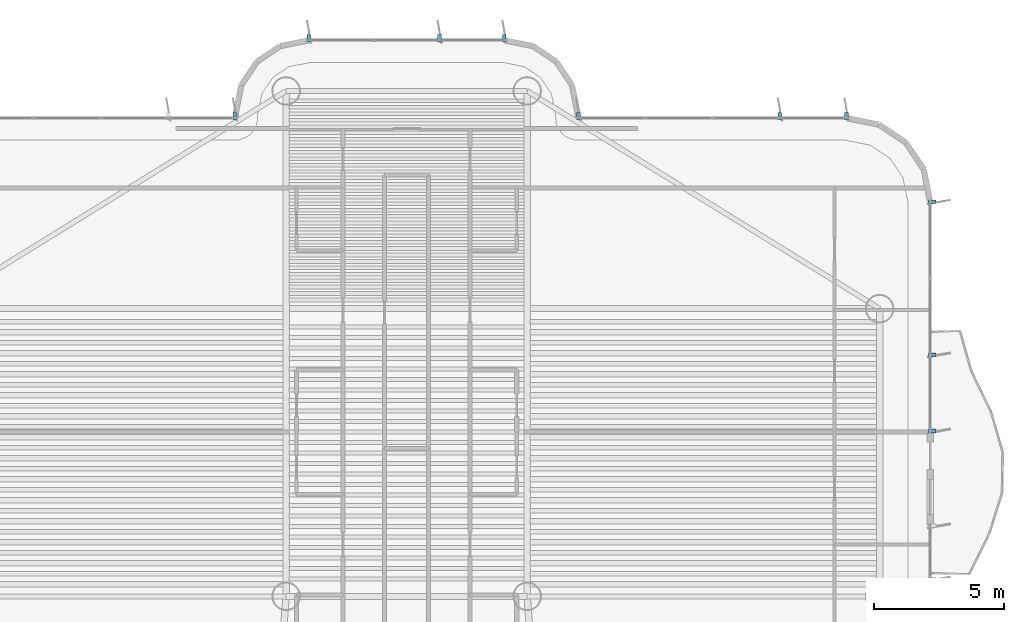
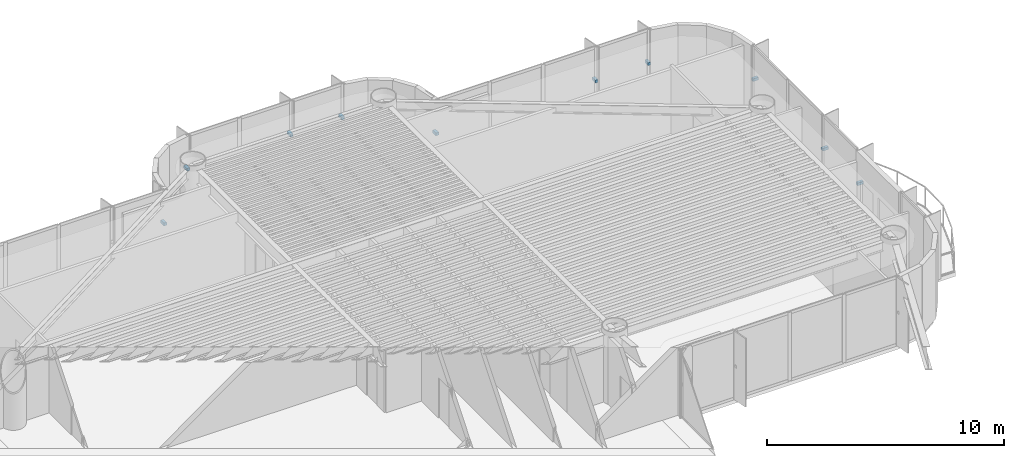
# One storey, part 13 of 15: 10 discrete accessories.
"""IFC4 building model written with IfcOpenShell, lengths in metres."""

from ifc_helpers import new_model, si_unit, direction, frame, origin, origin_2d, place, context, subcontext, project, spatial, rectangle, extrude, source, transform, mapped, material, type_object, element, save


model = new_model("IFC4")

# Units and contexts
model_context = context("Model", 3, precision=1e-05, world=origin(), true_north=direction((0.0, 1.0)))
body_context = subcontext(model_context, "Body", "Model", "MODEL_VIEW")
ifc_project = project(units=[si_unit("LENGTHUNIT", "METRE"), si_unit("AREAUNIT", "SQUARE_METRE"), si_unit("VOLUMEUNIT", "CUBIC_METRE"), si_unit("PLANEANGLEUNIT", "RADIAN"), si_unit("MASSUNIT", "GRAM", prefix="KILO")], contexts=[model_context])

# Site, building, storey
site_placement = place(None, origin())
site = spatial("IfcSite", under=ifc_project, at=site_placement, CompositionType="ELEMENT")
building_placement = place(site_placement, origin())
building = spatial("IfcBuilding", under=site, at=building_placement, Name="Brelvock Crest Care Tower", CompositionType="ELEMENT")
storey_placement = place(building_placement, frame((0.0, 0.0, 160.199951171875)))
storey = spatial("IfcBuildingStorey", under=building, at=storey_placement, Name="L40", CompositionType="ELEMENT", Elevation=160.199951171875)

# Discrete accessories
ifc_material = material(Name="Steel Grade 350", Category="steel")
discrete_accessory_type = type_object("IfcDiscreteAccessoryType", Name="ACC-BRK1", PredefinedType="BRACKET", material=ifc_material)
shared_shape = source(origin(), body_context, "Body", "SweptSolid", [
    extrude(rectangle(XDim=0.280029296875, YDim=0.139892578125, at=origin_2d()), origin(), (0.0, 0.0, 1.0), 0.139892578125),
])
for number, where, z_axis, x_axis, name in (
    (1, (29.3701171875, 53.47998046875, 1.6953125), (0.0, 0.0, 1.0), (0.0, 1.0, 0.0), "L40 Facade Fin Bracket E22-05"),
    (2, (32.22998046875, 56.47998046875, 1.6953125), (0.0, 0.0, 1.0), (0.0, 1.0, 0.0), "L40 Facade Fin Bracket E28-01"),
    (3, (37.2666015625, 56.47998046875, 1.6953125), (0.0, 0.0, 1.0), (0.0, 1.0, 0.0), "L40 Facade Fin Bracket E28-03"),
    (4, (39.77001953125, 56.47998046875, 1.6953125), (0.0, 0.0, 1.0), (0.0, 1.0, 0.0), "L40 Facade Fin Bracket E28-04"),
    (5, (42.6298828125, 53.47998046875, 1.6953125), (0.0, 0.0, 1.0), (0.0, 1.0, 0.0), "L40 Facade Fin Bracket E34-01"),
    (6, (50.39990234375, 53.47998046875, 1.6953125), (0.0, 0.0, 1.0), (0.0, 1.0, 0.0), "L40 Facade Fin Bracket E34-04"),
    (7, (52.969970703125, 53.47998046875, 1.6953125), (0.0, 0.0, 1.0), (0.0, 1.0, 0.0), "L40 Facade Fin Bracket E34-05"),
    (8, (56.280029296875, 50.169921875, 1.6953125), (0.0, 0.0, 1.0), (1.0, 0.0, 0.0), "L40 Facade Fin Bracket E39A-01"),
    (9, (56.280029296875, 44.2666015625, 1.6953125), (0.0, 0.0, 1.0), (1.0, 0.0, 0.0), "L40 Facade Fin Bracket E39A-03"),
    (10, (56.280029296875, 41.330078125, 1.6953125), (0.0, 0.0, 1.0), (1.0, 0.0, 0.0), "L40 Facade Fin Bracket E39A-04"),
):
    element("IfcDiscreteAccessory", number, at=place(storey_placement, frame(where, z_axis=z_axis, x_axis=x_axis)), inside=storey, type_object=discrete_accessory_type, Name=name, PredefinedType="BRACKET", context=body_context, shape_type="MappedRepresentation", body=[
        mapped(shared_shape, transform((0.0, 0.0, 0.0), x_axis=(1.0, 0.0, 0.0), y_axis=(0.0, 1.0, 0.0), z_axis=(0.0, 0.0, 1.0), scale=1.0)),
    ])

save(model, "model.ifc")
